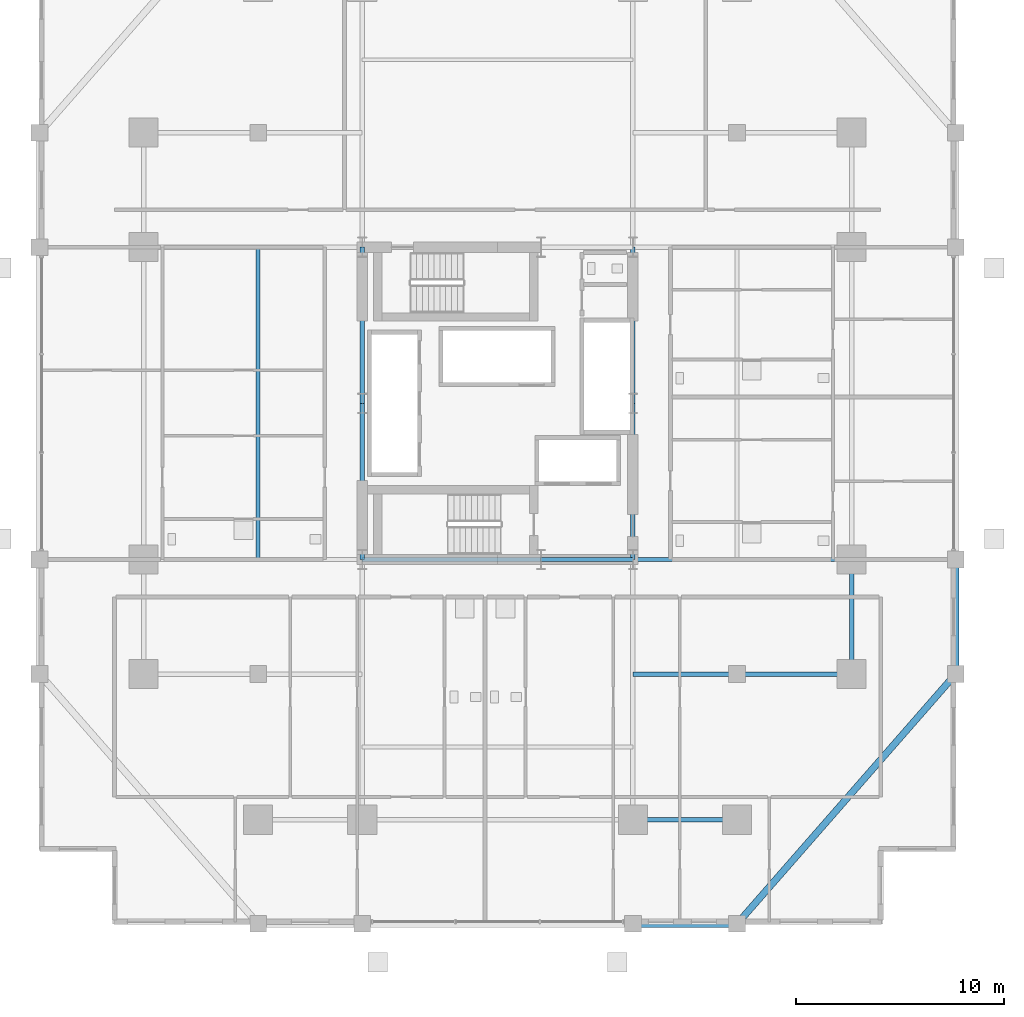
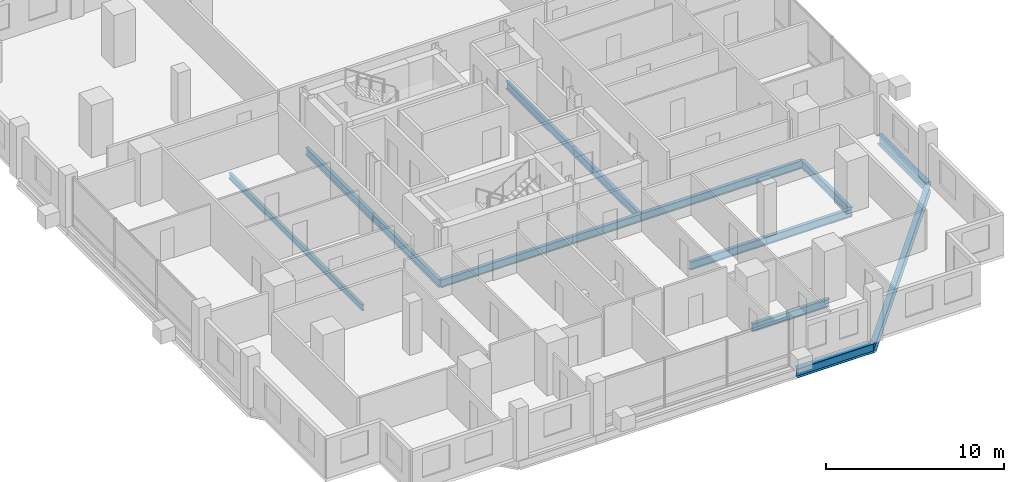
# One storey, part 7 of 23: 15 beams.
"""IFC4 building model written with IfcOpenShell, lengths in metres."""

from ifc_helpers import new_model, si_unit, direction, frame, origin, origin_2d, place, context, subcontext, project, spatial, i_section, extrude, material, material_profile, profile_set, type_object, element, save


model = new_model("IFC4")

# Units and contexts
model_context = context("Model", 3, precision=1e-05, world=origin(), true_north=direction((0.0, 1.0)))
body_context = subcontext(model_context, "Body", "Model", "MODEL_VIEW")
ifc_project = project(units=[si_unit("LENGTHUNIT", "METRE"), si_unit("AREAUNIT", "SQUARE_METRE"), si_unit("VOLUMEUNIT", "CUBIC_METRE"), si_unit("PLANEANGLEUNIT", "RADIAN"), si_unit("MASSUNIT", "GRAM", prefix="KILO")], contexts=[model_context])

# Site, building, storey
site_placement = place(None, origin())
site = spatial("IfcSite", under=ifc_project, at=site_placement, CompositionType="ELEMENT")
building_placement = place(site_placement, origin())
building = spatial("IfcBuilding", under=site, at=building_placement, Name="Barlavira Tower and Art Museum", CompositionType="ELEMENT")
storey_placement = place(building_placement, frame((0.0, 0.0, 75.60009765625)))
storey = spatial("IfcBuildingStorey", under=building, at=storey_placement, Name="L18", CompositionType="ELEMENT", Elevation=75.60009765625)

# Beams
ifc_material = material(Name="Steel S355", Category="steel")
ifc_material_profile_1 = material_profile(ifc_material, i_section(OverallWidth=0.327880859375, OverallDepth=0.62890625, WebThickness=0.013916015625, FlangeThickness=0.021484375, at=origin_2d()), Name="W610x174.0")
ifc_profile_set_1 = profile_set([ifc_material_profile_1], Name="Steel S355")
beam_type_1 = type_object("IfcBeamType", Name="Perimeter Spandrel Edge Beam W610x174 Steel S355", PredefinedType="SPANDREL", material=ifc_profile_set_1)
beam_1_placement = place(storey_placement, frame((6.5, -25.0, -0.53466796875), z_axis=(1.0, 0.0, 0.0), x_axis=(0.0, 1.0, 0.0)))
element("IfcBeam", 1, at=beam_1_placement, inside=storey, type_object=beam_type_1, Name="L18 Spandrel 3", PredefinedType="SPANDREL", context=body_context, shape_type="SweptSolid", body=[
    extrude(i_section(OverallWidth=0.327880859375, OverallDepth=0.62890625, WebThickness=0.013916015625, FlangeThickness=0.021484375, at=origin_2d()), origin(), (0.0, 0.0, 1.0), 5.0),
])
beam_2_placement = place(storey_placement, frame((11.5, -25.0, -0.53466796875), z_axis=(0.658504607869, 0.752576694707, 0.0), x_axis=(-0.752576694707, 0.658504607869, 0.0)))
element("IfcBeam", 2, at=beam_2_placement, inside=storey, type_object=beam_type_1, Name="L18 Spandrel 4", PredefinedType="SPANDREL", context=body_context, shape_type="SweptSolid", body=[
    extrude(i_section(OverallWidth=0.327880859375, OverallDepth=0.62890625, WebThickness=0.013916015625, FlangeThickness=0.021484375, at=origin_2d()), origin(), (0.0, 0.0, 1.0), 15.9453125),
])
beam_3_placement = place(storey_placement, frame((22.0, -13.0, -0.53466796875), z_axis=(0.0, 1.0, 0.0), x_axis=(-1.0, 0.0, 0.0)))
element("IfcBeam", 3, at=beam_3_placement, inside=storey, type_object=beam_type_1, Name="L18 Spandrel 5", PredefinedType="SPANDREL", context=body_context, shape_type="SweptSolid", body=[
    extrude(i_section(OverallWidth=0.327880859375, OverallDepth=0.62890625, WebThickness=0.013916015625, FlangeThickness=0.021484375, at=origin_2d()), origin(), (0.0, 0.0, 1.0), 5.5),
])
ifc_material_profile_2 = material_profile(ifc_material, i_section(OverallWidth=0.180908203125, OverallDepth=0.4169921875, WebThickness=0.010986328125, FlangeThickness=0.018310546875, at=origin_2d()), Name="W410x85.0")
ifc_profile_set_2 = profile_set([ifc_material_profile_2], Name="Steel S355")
beam_type_2 = type_object("IfcBeamType", Name="Zone 1 Composite Floor Joist W410x85 Steel S355", PredefinedType="JOIST", material=ifc_profile_set_2)
beam_4_placement = place(storey_placement, frame((-11.5, -7.5, -0.4287109375), z_axis=(0.0, 1.0, 0.0), x_axis=(-1.0, 0.0, 0.0)))
element("IfcBeam", 4, at=beam_4_placement, inside=storey, type_object=beam_type_2, Name="L18 Joist W1", PredefinedType="JOIST", context=body_context, shape_type="SweptSolid", body=[
    extrude(i_section(OverallWidth=0.180908203125, OverallDepth=0.4169921875, WebThickness=0.010986328125, FlangeThickness=0.018310546875, at=origin_2d()), origin(), (0.0, 0.0, 1.0), 15.0),
])
ifc_material_profile_3 = material_profile(ifc_material, i_section(OverallWidth=0.214111328125, OverallDepth=0.549072265625, WebThickness=0.0146484375, FlangeThickness=0.023681640625, at=origin_2d()), Name="W530x138.0")
ifc_profile_set_3 = profile_set([ifc_material_profile_3], Name="Steel S355")
beam_type_3 = type_object("IfcBeamType", Name="Zone 1 Primary Floor Girder W530x138 Steel S355", PredefinedType="BEAM", material=ifc_profile_set_3)
beam_5_placement = place(storey_placement, frame((-6.5, -7.5, -0.49462890625), z_axis=(1.0, 0.0, 0.0), x_axis=(0.0, 1.0, 0.0)))
element("IfcBeam", 5, at=beam_5_placement, inside=storey, type_object=beam_type_3, Name="L18 Girder C-S1", PredefinedType="BEAM", context=body_context, shape_type="SweptSolid", body=[
    extrude(i_section(OverallWidth=0.214111328125, OverallDepth=0.549072265625, WebThickness=0.0146484375, FlangeThickness=0.023681640625, at=origin_2d()), origin(), (0.0, 0.0, 1.0), 8.580078125),
])
beam_6_placement = place(storey_placement, frame((2.080078125, -7.5, -0.49462890625), z_axis=(1.0, 0.0, 0.0), x_axis=(0.0, 1.0, 0.0)))
element("IfcBeam", 6, at=beam_6_placement, inside=storey, type_object=beam_type_3, Name="L18 Girder C-S2", PredefinedType="BEAM", context=body_context, shape_type="SweptSolid", body=[
    extrude(i_section(OverallWidth=0.214111328125, OverallDepth=0.549072265625, WebThickness=0.0146484375, FlangeThickness=0.023681640625, at=origin_2d()), origin(), (0.0, 0.0, 1.0), 4.419921875),
])
for number, where, z_axis, x_axis, name in (
    (7, (-6.5, -7.5, -0.49462890625), (0.0, 1.0, 0.0), (-1.0, 0.0, 0.0), "L18 Girder C-W1"),
    (8, (-6.5, 0.0, -0.49462890625), (0.0, 1.0, 0.0), (-1.0, 0.0, 0.0), "L18 Girder C-W2"),
    (9, (6.5, -7.5, -0.49462890625), (0.0, 1.0, 0.0), (-1.0, 0.0, 0.0), "L18 Girder C-E1"),
    (10, (6.5, 0.0, -0.49462890625), (0.0, 1.0, 0.0), (-1.0, 0.0, 0.0), "L18 Girder C-E2"),
):
    element("IfcBeam", number, at=place(storey_placement, frame(where, z_axis=z_axis, x_axis=x_axis)), inside=storey, type_object=beam_type_3, Name=name, PredefinedType="BEAM", context=body_context, shape_type="SweptSolid", body=[
        extrude(i_section(OverallWidth=0.214111328125, OverallDepth=0.549072265625, WebThickness=0.0146484375, FlangeThickness=0.023681640625, at=origin_2d()), origin(), (0.0, 0.0, 1.0), 7.5),
    ])
beam_7_placement = place(storey_placement, frame((6.5, -20.0, -0.49462890625), z_axis=(1.0, 0.0, 0.0), x_axis=(0.0, 1.0, 0.0)))
element("IfcBeam", 11, at=beam_7_placement, inside=storey, type_object=beam_type_3, Name="L18 Girder M-S3", PredefinedType="BEAM", context=body_context, shape_type="SweptSolid", body=[
    extrude(i_section(OverallWidth=0.214111328125, OverallDepth=0.549072265625, WebThickness=0.0146484375, FlangeThickness=0.023681640625, at=origin_2d()), origin(), (0.0, 0.0, 1.0), 5.0),
])
beam_8_placement = place(storey_placement, frame((17.0, -13.0, -0.49462890625), z_axis=(0.0, 1.0, 0.0), x_axis=(-1.0, 0.0, 0.0)))
element("IfcBeam", 12, at=beam_8_placement, inside=storey, type_object=beam_type_3, Name="L18 Girder M-E1", PredefinedType="BEAM", context=body_context, shape_type="SweptSolid", body=[
    extrude(i_section(OverallWidth=0.214111328125, OverallDepth=0.549072265625, WebThickness=0.0146484375, FlangeThickness=0.023681640625, at=origin_2d()), origin(), (0.0, 0.0, 1.0), 5.5),
])
beam_9_placement = place(storey_placement, frame((6.5, -7.5, -0.49462890625), z_axis=(1.0, 0.0, 0.0), x_axis=(0.0, 1.0, 0.0)))
element("IfcBeam", 13, at=beam_9_placement, inside=storey, type_object=beam_type_3, Name="L18 Girder R-E1", PredefinedType="BEAM", context=body_context, shape_type="SweptSolid", body=[
    extrude(i_section(OverallWidth=0.214111328125, OverallDepth=0.549072265625, WebThickness=0.0146484375, FlangeThickness=0.023681640625, at=origin_2d()), origin(), (0.0, 0.0, 1.0), 10.5),
])
beam_10_placement = place(storey_placement, frame((6.5, -13.0, -0.49462890625), z_axis=(1.0, 0.0, 0.0), x_axis=(0.0, 1.0, 0.0)))
element("IfcBeam", 14, at=beam_10_placement, inside=storey, type_object=beam_type_3, Name="L18 Girder I-S3", PredefinedType="BEAM", context=body_context, shape_type="SweptSolid", body=[
    extrude(i_section(OverallWidth=0.214111328125, OverallDepth=0.549072265625, WebThickness=0.0146484375, FlangeThickness=0.023681640625, at=origin_2d()), origin(), (0.0, 0.0, 1.0), 5.0),
])
beam_11_placement = place(storey_placement, frame((11.5, -13.0, -0.49462890625), z_axis=(1.0, 0.0, 0.0), x_axis=(0.0, 1.0, 0.0)))
element("IfcBeam", 15, at=beam_11_placement, inside=storey, type_object=beam_type_3, Name="L18 Girder I-S4", PredefinedType="BEAM", context=body_context, shape_type="SweptSolid", body=[
    extrude(i_section(OverallWidth=0.214111328125, OverallDepth=0.549072265625, WebThickness=0.0146484375, FlangeThickness=0.023681640625, at=origin_2d()), origin(), (0.0, 0.0, 1.0), 5.5),
])

save(model, "model.ifc")
